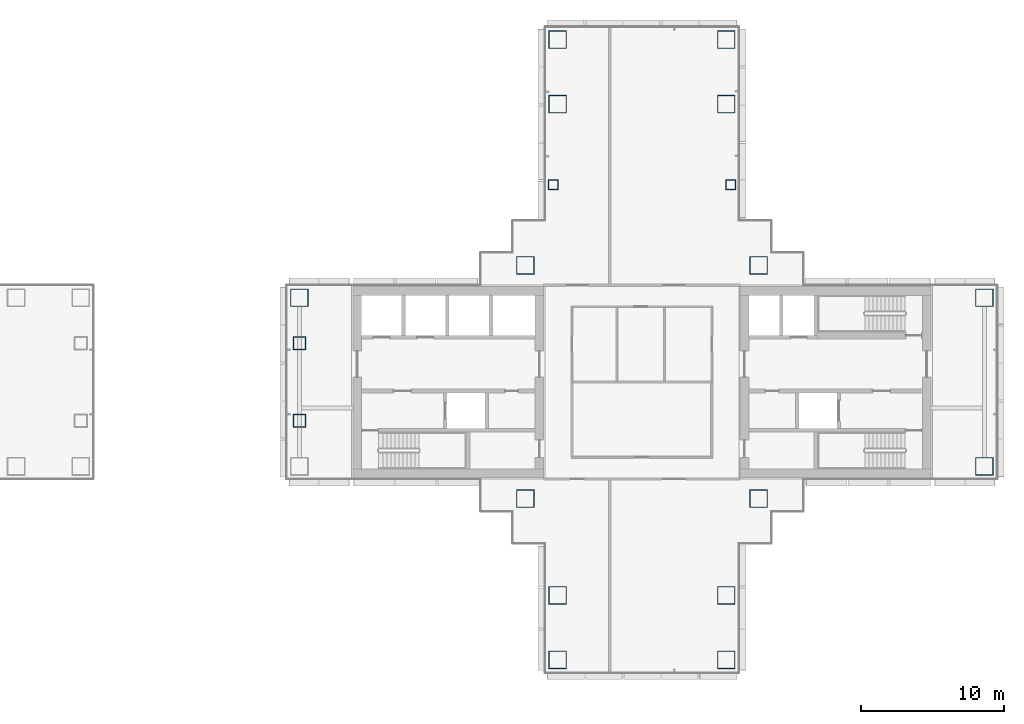
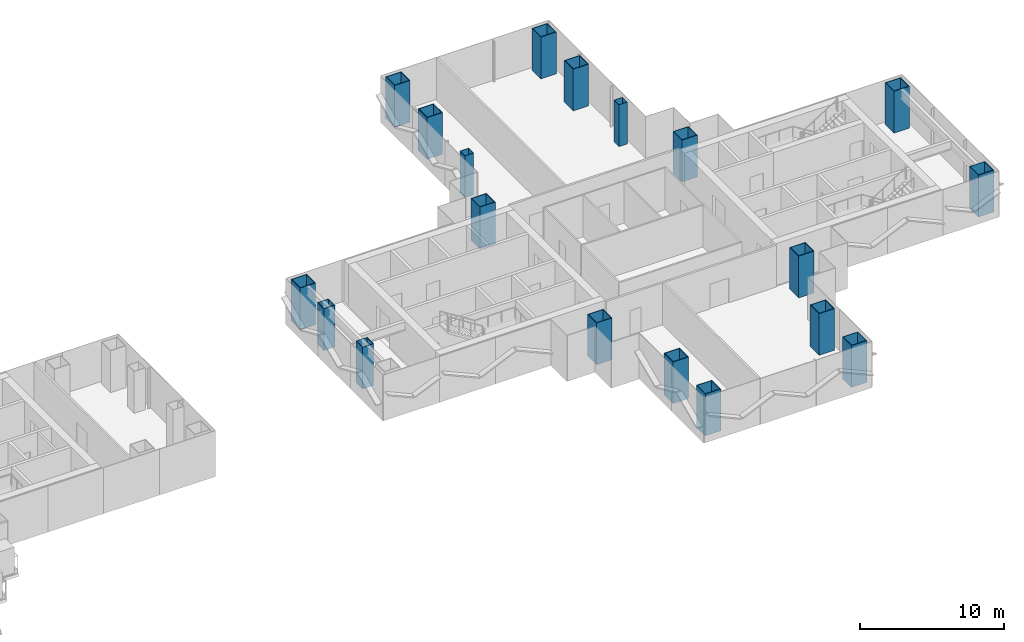
# One storey, part 2 of 20: 19 columns.
"""IFC4 building model written with IfcOpenShell, lengths in metres."""

from ifc_helpers import new_model, si_unit, direction, frame, origin, origin_2d, place, context, subcontext, project, spatial, hollow_rectangle, extrude, material, material_profile, profile_set, type_object, element, save


model = new_model("IFC4")

# Units and contexts
model_context = context("Model", 3, precision=1e-05, world=origin(), true_north=direction((0.0, 1.0)))
body_context = subcontext(model_context, "Body", "Model", "MODEL_VIEW")
ifc_project = project(units=[si_unit("LENGTHUNIT", "METRE"), si_unit("AREAUNIT", "SQUARE_METRE"), si_unit("VOLUMEUNIT", "CUBIC_METRE"), si_unit("PLANEANGLEUNIT", "RADIAN"), si_unit("MASSUNIT", "GRAM", prefix="KILO")], contexts=[model_context])

# Site, building, storey
site_placement = place(None, origin())
site = spatial("IfcSite", under=ifc_project, at=site_placement, CompositionType="ELEMENT")
building_placement = place(site_placement, origin())
building = spatial("IfcBuilding", under=site, at=building_placement, Name="Shamsa Quay Exchange Towers", CompositionType="ELEMENT")
storey_placement = place(building_placement, frame((0.0, 0.0, 101.39990234375)))
storey = spatial("IfcBuildingStorey", under=building, at=storey_placement, Name="L23", CompositionType="ELEMENT", Elevation=101.39990234375)

# Columns
ifc_material_1 = material(Name="Concrete-filled steel tube S355 / C80/95", Category="concrete")
ifc_material_profile_1 = material_profile(ifc_material_1, hollow_rectangle(XDim=1.25, YDim=1.25, WallThickness=0.050048828125, at=origin_2d()), Name="CFT 1250x1250x50")
ifc_profile_set_1 = profile_set([ifc_material_profile_1], Name="Concrete-filled steel tube S355 / C80/95")
column_type_1 = type_object("IfcColumnType", Name="Column CFT 1250x1250x50", PredefinedType="COLUMN", material=ifc_profile_set_1)
for number, where, name in (
    (1, (25.625, 8.125, 0.0), "Mega column T2-CM01"),
    (2, (41.875, 8.125, 0.0), "Mega column T2-CM02"),
    (3, (25.625, -8.125, 0.0), "Mega column T2-CM03"),
    (4, (41.875, -8.125, 0.0), "Mega column T2-CM04"),
    (5, (39.625, 19.375, 0.0), "Mega column T2-CM06"),
    (6, (39.625, 23.875, 0.0), "Mega column T2-CM07"),
    (7, (27.875, 19.375, 0.0), "Mega column T2-CM10"),
    (8, (27.875, 23.875, 0.0), "Mega column T2-CM11"),
    (9, (39.625, -14.875, 0.0), "Mega column T2-CM13"),
    (10, (39.625, -19.375, 0.0), "Mega column T2-CM14"),
    (11, (27.875, -14.875, 0.0), "Mega column T2-CM16"),
    (12, (27.875, -19.375, 0.0), "Mega column T2-CM17"),
    (13, (9.875, 5.875, 0.0), "Mega column T2-CM20"),
    (14, (57.625, -5.875, 0.0), "Mega column T2-CM21"),
    (15, (57.625, 5.875, 0.0), "Mega column T2-CM23"),
):
    element("IfcColumn", number, at=place(storey_placement, frame(where)), inside=storey, type_object=column_type_1, Name=name, PredefinedType="COLUMN", context=body_context, shape_type="SweptSolid", body=[
        extrude(hollow_rectangle(XDim=1.25, YDim=1.25, WallThickness=0.050048828125, at=origin_2d()), origin(), (0.0, 0.0, 1.0), 3.550048828125),
    ])
ifc_material_2 = material(Name="Concrete-filled steel tube S355 / C60/75", Category="concrete")
ifc_material_profile_2 = material_profile(ifc_material_2, hollow_rectangle(XDim=0.699951171875, YDim=0.699951171875, WallThickness=0.02490234375, at=origin_2d()), Name="CFT 700x700x25")
ifc_profile_set_2 = profile_set([ifc_material_profile_2], Name="Concrete-filled steel tube S355 / C60/75")
column_type_2 = type_object("IfcColumnType", Name="Column CFT 700x700x25", PredefinedType="COLUMN", material=ifc_profile_set_2)
for number, where, name in (
    (16, (39.9375, 13.75, 0.0), "Perimeter column T2-CP05"),
    (17, (27.5625, 13.75, 0.0), "Perimeter column T2-CP09"),
):
    element("IfcColumn", number, at=place(storey_placement, frame(where)), inside=storey, type_object=column_type_2, Name=name, PredefinedType="COLUMN", context=body_context, shape_type="SweptSolid", body=[
        extrude(hollow_rectangle(XDim=0.699951171875, YDim=0.699951171875, WallThickness=0.02490234375, at=origin_2d()), origin(), (0.0, 0.0, 1.0), 3.550048828125),
    ])
ifc_material_3 = material(Name="Concrete-filled steel tube S355 / C70/85", Category="concrete")
ifc_material_profile_3 = material_profile(ifc_material_3, hollow_rectangle(XDim=0.89990234375, YDim=0.89990234375, WallThickness=0.035888671875, at=origin_2d()), Name="CFT 900x900x36")
ifc_profile_set_3 = profile_set([ifc_material_profile_3], Name="Concrete-filled steel tube S355 / C70/85")
column_type_3 = type_object("IfcColumnType", Name="Landing column CFT 900x900x36", PredefinedType="COLUMN", material=ifc_profile_set_3)
for number, where, name in (
    (18, (9.875, -2.699951171875, 0.0), "Landing column T2 S"),
    (19, (9.875, 2.699951171875, 0.0), "Landing column T2 N"),
):
    element("IfcColumn", number, at=place(storey_placement, frame(where)), inside=storey, type_object=column_type_3, Name=name, PredefinedType="COLUMN", context=body_context, shape_type="SweptSolid", body=[
        extrude(hollow_rectangle(XDim=0.89990234375, YDim=0.89990234375, WallThickness=0.035888671875, at=origin_2d()), origin(), (0.0, 0.0, 1.0), 3.550048828125),
    ])

save(model, "model.ifc")
